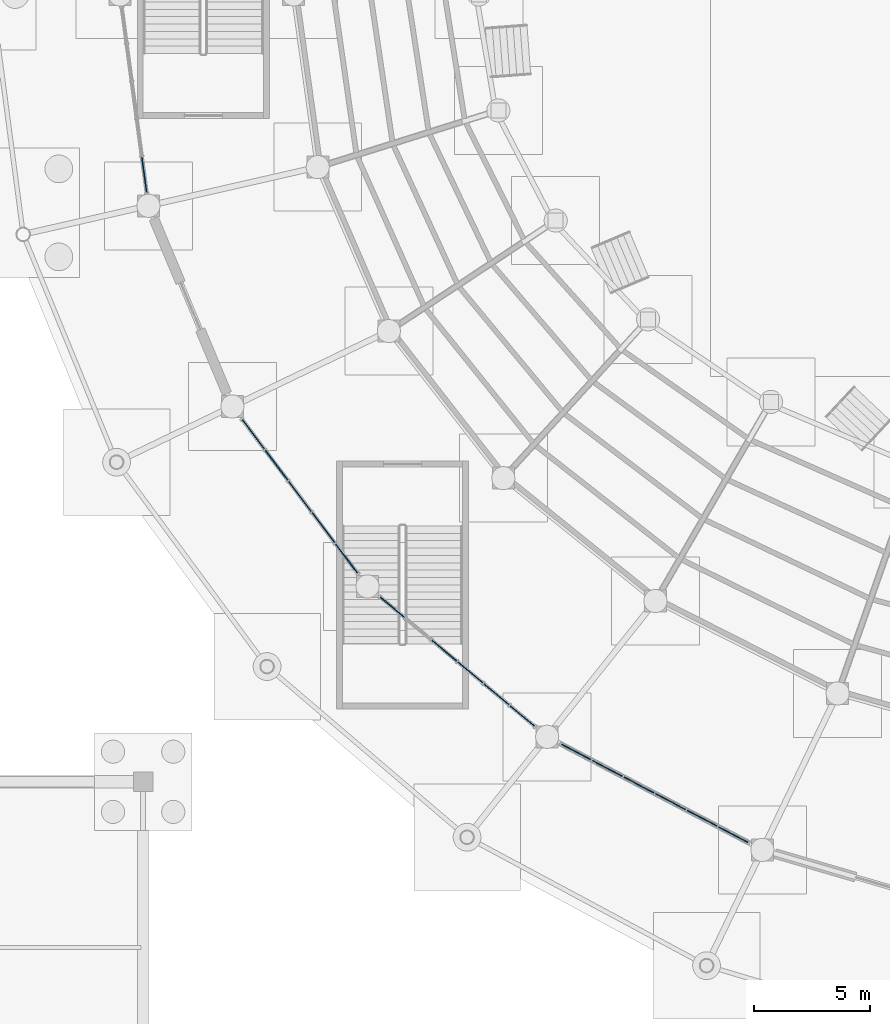
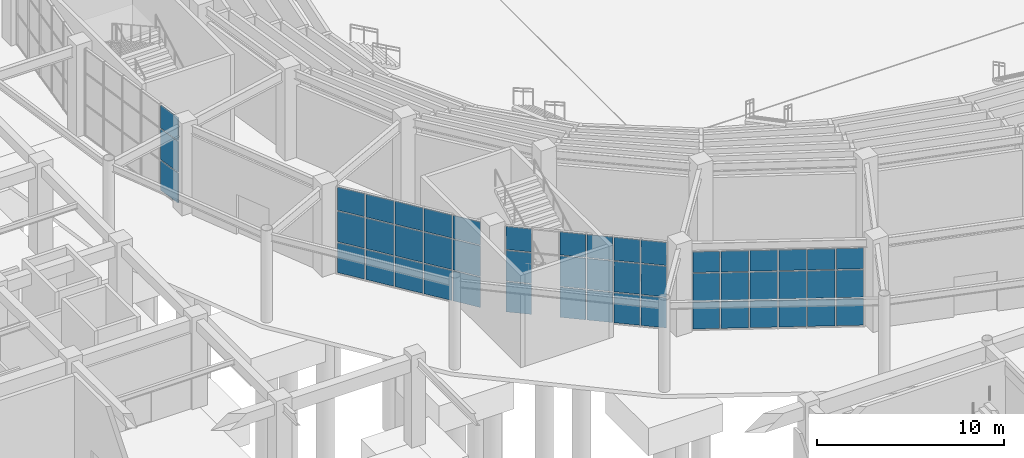
# One storey, part 65 of 121: 51 plates, 4 elements without a shape of their own.
"""IFC4 building model written with IfcOpenShell, lengths in metres."""

import ifcopenshell
import ifcopenshell.guid

model = None  # the IFC model being written
_history = None  # IfcOwnerHistory: only IFC2X3 demands one
_inside = {}  # id of a spatial element -> (the spatial element, [elements in it])
_under = {}  # id of a project, library or spatial element -> (it, [spatial elements below it])
_declared = {}  # id of a project -> (the project, [libraries it declares])
_typed = {}  # id of a type object -> (the type object, [elements of that type])
_made_of = {}  # id of a material, layer set ... -> (it, [elements and type objects made of it])


def new_model(schema):
    """Start an empty IFC model of exactly this schema.

    Asked for "IFC4X3", IfcOpenShell would pick the latest addendum, in which some entities
    have other attributes; the version numbers below select the first issue.
    IFC2X3 requires an IfcOwnerHistory on every rooted entity: one is made here for all.
    """
    global model, _history
    if schema == "IFC4X3":
        model = ifcopenshell.file(schema_version=(4, 3, 0, 0))
    else:
        model = ifcopenshell.file(schema=schema)
    _inside.clear()
    _under.clear()
    _declared.clear()
    _typed.clear()
    _made_of.clear()
    _history = None
    if model.schema == "IFC2X3":
        org = make("IfcOrganization", Name="unknown")
        user = make(
            "IfcPersonAndOrganization",
            ThePerson=make("IfcPerson", FamilyName="unknown"),
            TheOrganization=org,
        )
        app = make(
            "IfcApplication",
            ApplicationDeveloper=org,
            Version="unknown",
            ApplicationFullName="unknown",
            ApplicationIdentifier="unknown",
        )
        _history = make(
            "IfcOwnerHistory",
            OwningUser=user,
            OwningApplication=app,
            ChangeAction="ADDED",
            CreationDate=0,
        )
    return model


def make(cls, **values):
    """One entity of the class cls with the attributes given. An attribute that is None is left unset."""
    return model.create_entity(
        cls, **{name: value for name, value in values.items() if value is not None}
    )


def rooted(cls, **values):
    """An entity with a GlobalId (a new one), such as an element, a storey or a relation."""
    return make(cls, GlobalId=ifcopenshell.guid.new(), OwnerHistory=_history, **values)


def si_unit(unit_type, name, prefix=None):
    """IfcSIUnit, for example si_unit("LENGTHUNIT", "METRE", prefix="MILLI")."""
    return make("IfcSIUnit", UnitType=unit_type, Prefix=prefix, Name=name)


def assignment(units):
    """IfcUnitAssignment: the units of a project."""
    return None if units is None else make("IfcUnitAssignment", Units=units)


def point(xyz):
    """IfcCartesianPoint."""
    return None if xyz is None else make("IfcCartesianPoint", Coordinates=xyz)


def direction(xyz):
    """IfcDirection."""
    return None if xyz is None else make("IfcDirection", DirectionRatios=xyz)


def frame(location, z_axis=None, x_axis=None):
    """IfcAxis2Placement3D, a coordinate frame: its origin and axes. An axis left out is left unset."""
    return make(
        "IfcAxis2Placement3D",
        Location=point(location),
        Axis=direction(z_axis),
        RefDirection=direction(x_axis),
    )


def frame_2d(location, x_axis=None):
    """IfcAxis2Placement2D, a coordinate frame in the plane: its origin and x axis."""
    return make(
        "IfcAxis2Placement2D", Location=point(location), RefDirection=direction(x_axis)
    )


def origin():
    """The frame at (0, 0, 0) with its axes left unset."""
    return frame((0.0, 0.0, 0.0))


def origin_2d():
    """The frame at (0, 0) in the plane with its x axis left unset."""
    return frame_2d((0.0, 0.0))


def place(relative_to, where):
    """IfcLocalPlacement: puts the frame where relative to a parent placement (None: the world)."""
    return make(
        "IfcLocalPlacement", PlacementRelTo=relative_to, RelativePlacement=where
    )


def context(
    kind, dimensions, precision=None, world=None, true_north=None, identifier=None
):
    """IfcGeometricRepresentationContext, for example the 3D "Model" context."""
    return make(
        "IfcGeometricRepresentationContext",
        ContextIdentifier=identifier,
        ContextType=kind,
        CoordinateSpaceDimension=dimensions,
        Precision=precision,
        WorldCoordinateSystem=world,
        TrueNorth=true_north,
    )


def subcontext(parent, identifier, kind, view, scale=None):
    """IfcGeometricRepresentationSubContext, for example "Body" below "Model"."""
    return make(
        "IfcGeometricRepresentationSubContext",
        ContextIdentifier=identifier,
        ContextType=kind,
        ParentContext=parent,
        TargetScale=scale,
        TargetView=view,
    )


def project(units=None, contexts=None):
    """IfcProject with its units and contexts."""
    return rooted(
        "IfcProject",
        Name="project",
        RepresentationContexts=contexts,
        UnitsInContext=assignment(units),
    )


def spatial(cls, under=None, at=None, **own):
    """A site, building, storey or space (cls), placed at a placement, below another one or the project."""
    s = rooted(cls, ObjectPlacement=at, **own)
    if under is not None:
        _under.setdefault(under.id(), (under, []))[1].append(s)
    return s


def profile(cls, at=None, kind="AREA", **sizes):
    """A parametric profile (cls). Its sizes go by their IFC names, for example OverallWidth=200.0."""
    return make(cls, ProfileType=kind, Position=at, **sizes)


def rectangle(**sizes):
    """IfcRectangleProfileDef."""
    return profile("IfcRectangleProfileDef", **sizes)


def extrude(swept, where, along, depth):
    """IfcExtrudedAreaSolid: the profile swept, set in the frame where, extruded along a direction by depth."""
    return make(
        "IfcExtrudedAreaSolid",
        SweptArea=swept,
        Position=where,
        ExtrudedDirection=direction(along),
        Depth=depth,
    )


def shape(context_of_items, identifier, shape_type, items):
    """IfcShapeRepresentation: the items that make up one representation, for example the "Body"."""
    return make(
        "IfcShapeRepresentation",
        ContextOfItems=context_of_items,
        RepresentationIdentifier=identifier,
        RepresentationType=shape_type,
        Items=items,
    )


def material(Name=None, Category=None):
    """IfcMaterial."""
    return make("IfcMaterial", Name=Name, Category=Category)


def layer(
    of_material, thickness, ventilated=None, Name=None, Category=None, Priority=None
):
    """IfcMaterialLayer: one layer of a wall or slab, of a material (None: an air gap)."""
    return make(
        "IfcMaterialLayer",
        Material=of_material,
        LayerThickness=thickness,
        IsVentilated=ventilated,
        Name=Name,
        Category=Category,
        Priority=Priority,
    )


def layer_set(layers, Name=None):
    """IfcMaterialLayerSet."""
    return make("IfcMaterialLayerSet", MaterialLayers=layers, LayerSetName=Name)


def made_of(thing, what):
    """Note that an element or type object is made of a material, layer set ...; save() writes the relation."""
    if what is not None:
        _made_of.setdefault(what.id(), (what, []))[1].append(thing)
    return thing


def type_object(cls, material=None, **own):
    """A type object (cls), such as IfcWallType, which elements share."""
    return made_of(rooted(cls, **own), material)


def element(
    cls,
    number,
    at=None,
    inside=None,
    cuts=None,
    type_object=None,
    material=None,
    context=None,
    identifier="Body",
    shape_type=None,
    held_by="IfcProductDefinitionShape",
    body=None,
    shapes=None,
    **own,
):
    """One element of the class cls, such as IfcWall. Its Tag is "e" and its number.

    at: its placement. inside: the storey or other place that contains it. cuts: it is an
    opening in that element (IfcRelVoidsElement). A single representation is given by context,
    identifier, shape_type and body (its items); several are given by shapes. held_by: the class
    of the entity that holds the representations. save() writes the other relations.
    """
    e = rooted(cls, Tag="e%d" % number, ObjectPlacement=at, **own)
    if body is not None:
        shapes = [shape(context, identifier, shape_type, body)]
    if shapes is not None:
        e.Representation = make(held_by, Representations=shapes)
    if inside is not None:
        _inside.setdefault(inside.id(), (inside, []))[1].append(e)
    if cuts is not None:
        rooted(
            "IfcRelVoidsElement", RelatingBuildingElement=cuts, RelatedOpeningElement=e
        )
    if type_object is not None:
        _typed.setdefault(type_object.id(), (type_object, []))[1].append(e)
    return made_of(e, material)


def aggregate(whole, parts):
    """IfcRelAggregates: a whole, such as a stair, and the parts it consists of."""
    return rooted("IfcRelAggregates", RelatingObject=whole, RelatedObjects=parts)


def save(model, path):
    """Write the relations noted so far, then the file.

    IfcRelAggregates (storeys below a building ...), IfcRelContainedInSpatialStructure (elements
    in a storey), IfcRelDefinesByType, IfcRelAssociatesMaterial and IfcRelDeclares: one each for
    every whole, place, type object, material and project.
    """
    for whole, parts in _under.values():
        aggregate(whole, parts)
    for where, things in _inside.values():
        rooted(
            "IfcRelContainedInSpatialStructure",
            RelatedElements=things,
            RelatingStructure=where,
        )
    for kind, things in _typed.values():
        rooted("IfcRelDefinesByType", RelatedObjects=things, RelatingType=kind)
    for what, things in _made_of.values():
        rooted("IfcRelAssociatesMaterial", RelatedObjects=things, RelatingMaterial=what)
    for by, libraries in _declared.values():
        rooted("IfcRelDeclares", RelatingContext=by, RelatedDefinitions=libraries)
    model.write(path)


model = new_model("IFC4")

# Units and contexts
model_context = context("Model", 3, precision=1e-05, world=origin(), true_north=direction((0.0, 1.0)))
body_context = subcontext(model_context, "Body", "Model", "MODEL_VIEW")
ifc_project = project(units=[si_unit("LENGTHUNIT", "METRE"), si_unit("AREAUNIT", "SQUARE_METRE"), si_unit("VOLUMEUNIT", "CUBIC_METRE"), si_unit("PLANEANGLEUNIT", "RADIAN"), si_unit("MASSUNIT", "GRAM", prefix="KILO")], contexts=[model_context])

# Site, building, storey
site_placement = place(None, origin())
site = spatial("IfcSite", under=ifc_project, at=site_placement, CompositionType="ELEMENT")
building_placement = place(site_placement, origin())
building = spatial("IfcBuilding", under=site, at=building_placement, Name="Cuetzalor Civic Arena", CompositionType="ELEMENT")
storey_placement = place(building_placement, origin())
storey = spatial("IfcBuildingStorey", under=building, at=storey_placement, Name="L00", CompositionType="ELEMENT", Elevation=0.0)

# Curtain wall, plates
ifc_material_1 = material(Name="Anodised dark bronze aluminium and low-E solar glass", Category="aluminium")
curtain_wall_type_1 = type_object("IfcCurtainWallType", Name="UnitisedCW_8150x5700", PredefinedType="USERDEFINED", material=ifc_material_1)
curtain_wall_1_placement = place(storey_placement, origin())
curtain_wall_1 = element("IfcCurtainWall", 1, at=curtain_wall_1_placement, inside=storey, type_object=curtain_wall_type_1, Name="Drum Ground Recessed Concourse Curtain Wall L00-011", ObjectType="UNITISED CURTAIN WALL", PredefinedType="USERDEFINED")
ifc_material_2 = material(Name="Acoustic laminated solar control glass", Category="glass")
ifc_layer = layer(ifc_material_2, 0.0439453125)
ifc_layer_set = layer_set([ifc_layer], Name="Acoustic laminated solar control glass")
plate_type = type_object("IfcPlateType", Name="AcousticTripleGlazedPanel_44", PredefinedType="CURTAIN_PANEL", material=ifc_layer_set)
plate_1_placement = place(storey_placement, frame((-47.951904296875, -7.784423828125, 0.06982421875), z_axis=(0.0, 0.0, 1.0), x_axis=(-0.133443440892, 0.991056430322, 0.0)))
plate_1 = element("IfcPlate", 2, at=plate_1_placement, type_object=plate_type, Name="CW-01 panel 1.1", PredefinedType="CURTAIN_PANEL", context=body_context, shape_type="SweptSolid", body=[
    extrude(rectangle(XDim=1.52978515625, YDim=0.0439453125, at=origin_2d()), origin(), (0.0, 0.0, 1.0), 1.947021484375),
])
plate_2_placement = place(storey_placement, frame((-47.951904296875, -7.784423828125, 2.0869140625), z_axis=(0.0, 0.0, 1.0), x_axis=(-0.133443440892, 0.991056430322, 0.0)))
plate_2 = element("IfcPlate", 3, at=plate_2_placement, type_object=plate_type, Name="CW-01 panel 1.2", PredefinedType="CURTAIN_PANEL", context=body_context, shape_type="SweptSolid", body=[
    extrude(rectangle(XDim=1.52978515625, YDim=0.0439453125, at=origin_2d()), origin(), (0.0, 0.0, 1.0), 1.98193359375),
])
plate_3_placement = place(storey_placement, frame((-47.951904296875, -7.784423828125, 4.13916015625), z_axis=(0.0, 0.0, 1.0), x_axis=(-0.133443440892, 0.991056430322, 0.0)))
plate_3 = element("IfcPlate", 4, at=plate_3_placement, type_object=plate_type, Name="CW-01 panel 1.3", PredefinedType="CURTAIN_PANEL", context=body_context, shape_type="SweptSolid", body=[
    extrude(rectangle(XDim=1.52978515625, YDim=0.0439453125, at=origin_2d()), origin(), (0.0, 0.0, 1.0), 1.490966796875),
])
aggregate(curtain_wall_1, [plate_1, plate_2, plate_3])

ifc_material_3 = material(Name="Anodised dark bronze aluminium and low-E solar glass", Category="aluminium")
curtain_wall_type_2 = type_object("IfcCurtainWallType", Name="UnitisedCW_8450x5700", PredefinedType="USERDEFINED", material=ifc_material_3)
curtain_wall_2_placement = place(storey_placement, origin())
curtain_wall_2 = element("IfcCurtainWall", 5, at=curtain_wall_2_placement, inside=storey, type_object=curtain_wall_type_2, Name="Drum Ground Recessed Concourse Curtain Wall L00-012", ObjectType="UNITISED CURTAIN WALL", PredefinedType="USERDEFINED")
plate_4_placement = place(storey_placement, frame((-39.21484375, -24.35791015625, 0.06982421875), z_axis=(0.0, 0.0, 1.0), x_axis=(-0.600491594925, 0.799631067696, 0.0)))
plate_4 = element("IfcPlate", 6, at=plate_4_placement, type_object=plate_type, Name="CW-02 panel 1.1", PredefinedType="CURTAIN_PANEL", context=body_context, shape_type="SweptSolid", body=[
    extrude(rectangle(XDim=1.58056640625, YDim=0.0439453125, at=origin_2d()), origin(), (0.0, 0.0, 1.0), 1.947021484375),
])
plate_5_placement = place(storey_placement, frame((-39.21484375, -24.35791015625, 2.0869140625), z_axis=(0.0, 0.0, 1.0), x_axis=(-0.600491594925, 0.799631067696, 0.0)))
plate_5 = element("IfcPlate", 7, at=plate_5_placement, type_object=plate_type, Name="CW-02 panel 1.2", PredefinedType="CURTAIN_PANEL", context=body_context, shape_type="SweptSolid", body=[
    extrude(rectangle(XDim=1.58056640625, YDim=0.0439453125, at=origin_2d()), origin(), (0.0, 0.0, 1.0), 1.98193359375),
])
plate_6_placement = place(storey_placement, frame((-39.21484375, -24.35791015625, 4.13916015625), z_axis=(0.0, 0.0, 1.0), x_axis=(-0.600491594925, 0.799631067696, 0.0)))
plate_6 = element("IfcPlate", 8, at=plate_6_placement, type_object=plate_type, Name="CW-02 panel 1.3", PredefinedType="CURTAIN_PANEL", context=body_context, shape_type="SweptSolid", body=[
    extrude(rectangle(XDim=1.58056640625, YDim=0.0439453125, at=origin_2d()), origin(), (0.0, 0.0, 1.0), 1.490966796875),
])
plate_7_placement = place(storey_placement, frame((-40.216552734375, -23.02392578125, 0.06982421875), z_axis=(0.0, 0.0, 1.0), x_axis=(-0.600491594925, 0.799631067696, 0.0)))
plate_7 = element("IfcPlate", 9, at=plate_7_placement, type_object=plate_type, Name="CW-02 panel 2.1", PredefinedType="CURTAIN_PANEL", context=body_context, shape_type="SweptSolid", body=[
    extrude(rectangle(XDim=1.615478515625, YDim=0.0439453125, at=origin_2d()), origin(), (0.0, 0.0, 1.0), 1.947021484375),
])
plate_8_placement = place(storey_placement, frame((-40.216552734375, -23.02392578125, 2.0869140625), z_axis=(0.0, 0.0, 1.0), x_axis=(-0.600491594925, 0.799631067696, 0.0)))
plate_8 = element("IfcPlate", 10, at=plate_8_placement, type_object=plate_type, Name="CW-02 panel 2.2", PredefinedType="CURTAIN_PANEL", context=body_context, shape_type="SweptSolid", body=[
    extrude(rectangle(XDim=1.615478515625, YDim=0.0439453125, at=origin_2d()), origin(), (0.0, 0.0, 1.0), 1.98193359375),
])
plate_9_placement = place(storey_placement, frame((-40.216552734375, -23.02392578125, 4.13916015625), z_axis=(0.0, 0.0, 1.0), x_axis=(-0.600491594925, 0.799631067696, 0.0)))
plate_9 = element("IfcPlate", 11, at=plate_9_placement, type_object=plate_type, Name="CW-02 panel 2.3", PredefinedType="CURTAIN_PANEL", context=body_context, shape_type="SweptSolid", body=[
    extrude(rectangle(XDim=1.615478515625, YDim=0.0439453125, at=origin_2d()), origin(), (0.0, 0.0, 1.0), 1.490966796875),
])
plate_10_placement = place(storey_placement, frame((-41.228515625, -21.67626953125, 0.06982421875), z_axis=(0.0, 0.0, 1.0), x_axis=(-0.600491594925, 0.799631067696, 0.0)))
plate_10 = element("IfcPlate", 12, at=plate_10_placement, type_object=plate_type, Name="CW-02 panel 3.1", PredefinedType="CURTAIN_PANEL", context=body_context, shape_type="SweptSolid", body=[
    extrude(rectangle(XDim=1.615478515625, YDim=0.0439453125, at=origin_2d()), origin(), (0.0, 0.0, 1.0), 1.947021484375),
])
plate_11_placement = place(storey_placement, frame((-41.228515625, -21.67626953125, 2.0869140625), z_axis=(0.0, 0.0, 1.0), x_axis=(-0.600491594925, 0.799631067696, 0.0)))
plate_11 = element("IfcPlate", 13, at=plate_11_placement, type_object=plate_type, Name="CW-02 panel 3.2", PredefinedType="CURTAIN_PANEL", context=body_context, shape_type="SweptSolid", body=[
    extrude(rectangle(XDim=1.615478515625, YDim=0.0439453125, at=origin_2d()), origin(), (0.0, 0.0, 1.0), 1.98193359375),
])
plate_12_placement = place(storey_placement, frame((-41.228515625, -21.67626953125, 4.13916015625), z_axis=(0.0, 0.0, 1.0), x_axis=(-0.600491594925, 0.799631067696, 0.0)))
plate_12 = element("IfcPlate", 14, at=plate_12_placement, type_object=plate_type, Name="CW-02 panel 3.3", PredefinedType="CURTAIN_PANEL", context=body_context, shape_type="SweptSolid", body=[
    extrude(rectangle(XDim=1.615478515625, YDim=0.0439453125, at=origin_2d()), origin(), (0.0, 0.0, 1.0), 1.490966796875),
])
plate_13_placement = place(storey_placement, frame((-42.24072265625, -20.328369140625, 0.06982421875), z_axis=(0.0, 0.0, 1.0), x_axis=(-0.600491594925, 0.799631067696, 0.0)))
plate_13 = element("IfcPlate", 15, at=plate_13_placement, type_object=plate_type, Name="CW-02 panel 4.1", PredefinedType="CURTAIN_PANEL", context=body_context, shape_type="SweptSolid", body=[
    extrude(rectangle(XDim=1.615478515625, YDim=0.0439453125, at=origin_2d()), origin(), (0.0, 0.0, 1.0), 1.947021484375),
])
plate_14_placement = place(storey_placement, frame((-42.24072265625, -20.328369140625, 2.0869140625), z_axis=(0.0, 0.0, 1.0), x_axis=(-0.600491594925, 0.799631067696, 0.0)))
plate_14 = element("IfcPlate", 16, at=plate_14_placement, type_object=plate_type, Name="CW-02 panel 4.2", PredefinedType="CURTAIN_PANEL", context=body_context, shape_type="SweptSolid", body=[
    extrude(rectangle(XDim=1.615478515625, YDim=0.0439453125, at=origin_2d()), origin(), (0.0, 0.0, 1.0), 1.98193359375),
])
plate_15_placement = place(storey_placement, frame((-42.24072265625, -20.328369140625, 4.13916015625), z_axis=(0.0, 0.0, 1.0), x_axis=(-0.600491594925, 0.799631067696, 0.0)))
plate_15 = element("IfcPlate", 17, at=plate_15_placement, type_object=plate_type, Name="CW-02 panel 4.3", PredefinedType="CURTAIN_PANEL", context=body_context, shape_type="SweptSolid", body=[
    extrude(rectangle(XDim=1.615478515625, YDim=0.0439453125, at=origin_2d()), origin(), (0.0, 0.0, 1.0), 1.490966796875),
])
plate_16_placement = place(storey_placement, frame((-43.242431640625, -18.994384765625, 0.06982421875), z_axis=(0.0, 0.0, 1.0), x_axis=(-0.600491594925, 0.799631067696, 0.0)))
plate_16 = element("IfcPlate", 18, at=plate_16_placement, type_object=plate_type, Name="CW-02 panel 5.1", PredefinedType="CURTAIN_PANEL", context=body_context, shape_type="SweptSolid", body=[
    extrude(rectangle(XDim=1.58056640625, YDim=0.0439453125, at=origin_2d()), origin(), (0.0, 0.0, 1.0), 1.947021484375),
])
plate_17_placement = place(storey_placement, frame((-43.242431640625, -18.994384765625, 2.0869140625), z_axis=(0.0, 0.0, 1.0), x_axis=(-0.600491594925, 0.799631067696, 0.0)))
plate_17 = element("IfcPlate", 19, at=plate_17_placement, type_object=plate_type, Name="CW-02 panel 5.2", PredefinedType="CURTAIN_PANEL", context=body_context, shape_type="SweptSolid", body=[
    extrude(rectangle(XDim=1.58056640625, YDim=0.0439453125, at=origin_2d()), origin(), (0.0, 0.0, 1.0), 1.98193359375),
])
plate_18_placement = place(storey_placement, frame((-43.242431640625, -18.994384765625, 4.13916015625), z_axis=(0.0, 0.0, 1.0), x_axis=(-0.600491594925, 0.799631067696, 0.0)))
plate_18 = element("IfcPlate", 20, at=plate_18_placement, type_object=plate_type, Name="CW-02 panel 5.3", PredefinedType="CURTAIN_PANEL", context=body_context, shape_type="SweptSolid", body=[
    extrude(rectangle(XDim=1.58056640625, YDim=0.0439453125, at=origin_2d()), origin(), (0.0, 0.0, 1.0), 1.490966796875),
])
aggregate(curtain_wall_2, [plate_4, plate_5, plate_6, plate_7, plate_8, plate_9, plate_10, plate_11, plate_12, plate_13, plate_14, plate_15, plate_16, plate_17, plate_18])

ifc_material_4 = material(Name="Anodised dark bronze aluminium and low-E solar glass", Category="aluminium")
curtain_wall_type_3 = type_object("IfcCurtainWallType", Name="UnitisedCW_8800x5700", PredefinedType="USERDEFINED", material=ifc_material_4)
curtain_wall_3_placement = place(storey_placement, origin())
curtain_wall_3 = element("IfcCurtainWall", 21, at=curtain_wall_3_placement, inside=storey, type_object=curtain_wall_type_3, Name="Drum Ground Recessed Concourse Curtain Wall L00-013", ObjectType="UNITISED CURTAIN WALL", PredefinedType="USERDEFINED")
plate_19_placement = place(storey_placement, frame((-31.627197265625, -31.15478515625, 0.06982421875), z_axis=(0.0, 0.0, 1.0), x_axis=(-0.766928030459, 0.641733119059, 0.0)))
plate_19 = element("IfcPlate", 22, at=plate_19_placement, type_object=plate_type, Name="CW-03 panel 1.1", PredefinedType="CURTAIN_PANEL", context=body_context, shape_type="SweptSolid", body=[
    extrude(rectangle(XDim=1.364013671875, YDim=0.0439453125, at=origin_2d()), origin(), (0.0, 0.0, 1.0), 1.947021484375),
])
plate_20_placement = place(storey_placement, frame((-31.627197265625, -31.15478515625, 2.0869140625), z_axis=(0.0, 0.0, 1.0), x_axis=(-0.766928030459, 0.641733119059, 0.0)))
plate_20 = element("IfcPlate", 23, at=plate_20_placement, type_object=plate_type, Name="CW-03 panel 1.2", PredefinedType="CURTAIN_PANEL", context=body_context, shape_type="SweptSolid", body=[
    extrude(rectangle(XDim=1.364013671875, YDim=0.0439453125, at=origin_2d()), origin(), (0.0, 0.0, 1.0), 1.98193359375),
])
plate_21_placement = place(storey_placement, frame((-31.627197265625, -31.15478515625, 4.13916015625), z_axis=(0.0, 0.0, 1.0), x_axis=(-0.766928030459, 0.641733119059, 0.0)))
plate_21 = element("IfcPlate", 24, at=plate_21_placement, type_object=plate_type, Name="CW-03 panel 1.3", PredefinedType="CURTAIN_PANEL", context=body_context, shape_type="SweptSolid", body=[
    extrude(rectangle(XDim=1.364013671875, YDim=0.0439453125, at=origin_2d()), origin(), (0.0, 0.0, 1.0), 1.490966796875),
])
plate_22_placement = place(storey_placement, frame((-32.740478515625, -30.22314453125, 0.06982421875), z_axis=(0.0, 0.0, 1.0), x_axis=(-0.766928030459, 0.641733119059, 0.0)))
plate_22 = element("IfcPlate", 25, at=plate_22_placement, type_object=plate_type, Name="CW-03 panel 2.1", PredefinedType="CURTAIN_PANEL", context=body_context, shape_type="SweptSolid", body=[
    extrude(rectangle(XDim=1.39892578125, YDim=0.0439453125, at=origin_2d()), origin(), (0.0, 0.0, 1.0), 1.947021484375),
])
plate_23_placement = place(storey_placement, frame((-32.740478515625, -30.22314453125, 2.0869140625), z_axis=(0.0, 0.0, 1.0), x_axis=(-0.766928030459, 0.641733119059, 0.0)))
plate_23 = element("IfcPlate", 26, at=plate_23_placement, type_object=plate_type, Name="CW-03 panel 2.2", PredefinedType="CURTAIN_PANEL", context=body_context, shape_type="SweptSolid", body=[
    extrude(rectangle(XDim=1.39892578125, YDim=0.0439453125, at=origin_2d()), origin(), (0.0, 0.0, 1.0), 1.98193359375),
])
plate_24_placement = place(storey_placement, frame((-32.740478515625, -30.22314453125, 4.13916015625), z_axis=(0.0, 0.0, 1.0), x_axis=(-0.766928030459, 0.641733119059, 0.0)))
plate_24 = element("IfcPlate", 27, at=plate_24_placement, type_object=plate_type, Name="CW-03 panel 2.3", PredefinedType="CURTAIN_PANEL", context=body_context, shape_type="SweptSolid", body=[
    extrude(rectangle(XDim=1.39892578125, YDim=0.0439453125, at=origin_2d()), origin(), (0.0, 0.0, 1.0), 1.490966796875),
])
plate_25_placement = place(storey_placement, frame((-33.866943359375, -29.280517578125, 0.06982421875), z_axis=(0.0, 0.0, 1.0), x_axis=(-0.766928030459, 0.641733119059, 0.0)))
plate_25 = element("IfcPlate", 28, at=plate_25_placement, type_object=plate_type, Name="CW-03 panel 3.1", PredefinedType="CURTAIN_PANEL", context=body_context, shape_type="SweptSolid", body=[
    extrude(rectangle(XDim=1.39892578125, YDim=0.0439453125, at=origin_2d()), origin(), (0.0, 0.0, 1.0), 1.947021484375),
])
plate_26_placement = place(storey_placement, frame((-33.866943359375, -29.280517578125, 2.0869140625), z_axis=(0.0, 0.0, 1.0), x_axis=(-0.766928030459, 0.641733119059, 0.0)))
plate_26 = element("IfcPlate", 29, at=plate_26_placement, type_object=plate_type, Name="CW-03 panel 3.2", PredefinedType="CURTAIN_PANEL", context=body_context, shape_type="SweptSolid", body=[
    extrude(rectangle(XDim=1.39892578125, YDim=0.0439453125, at=origin_2d()), origin(), (0.0, 0.0, 1.0), 1.98193359375),
])
plate_27_placement = place(storey_placement, frame((-33.866943359375, -29.280517578125, 4.13916015625), z_axis=(0.0, 0.0, 1.0), x_axis=(-0.766928030459, 0.641733119059, 0.0)))
plate_27 = element("IfcPlate", 30, at=plate_27_placement, type_object=plate_type, Name="CW-03 panel 3.3", PredefinedType="CURTAIN_PANEL", context=body_context, shape_type="SweptSolid", body=[
    extrude(rectangle(XDim=1.39892578125, YDim=0.0439453125, at=origin_2d()), origin(), (0.0, 0.0, 1.0), 1.490966796875),
])
plate_28_placement = place(storey_placement, frame((-34.99365234375, -28.337646484375, 0.06982421875), z_axis=(0.0, 0.0, 1.0), x_axis=(-0.766928030459, 0.641733119059, 0.0)))
plate_28 = element("IfcPlate", 31, at=plate_28_placement, type_object=plate_type, Name="CW-03 panel 4.1", PredefinedType="CURTAIN_PANEL", context=body_context, shape_type="SweptSolid", body=[
    extrude(rectangle(XDim=1.39892578125, YDim=0.0439453125, at=origin_2d()), origin(), (0.0, 0.0, 1.0), 1.947021484375),
])
plate_29_placement = place(storey_placement, frame((-34.99365234375, -28.337646484375, 2.0869140625), z_axis=(0.0, 0.0, 1.0), x_axis=(-0.766928030459, 0.641733119059, 0.0)))
plate_29 = element("IfcPlate", 32, at=plate_29_placement, type_object=plate_type, Name="CW-03 panel 4.2", PredefinedType="CURTAIN_PANEL", context=body_context, shape_type="SweptSolid", body=[
    extrude(rectangle(XDim=1.39892578125, YDim=0.0439453125, at=origin_2d()), origin(), (0.0, 0.0, 1.0), 1.98193359375),
])
plate_30_placement = place(storey_placement, frame((-34.99365234375, -28.337646484375, 4.13916015625), z_axis=(0.0, 0.0, 1.0), x_axis=(-0.766928030459, 0.641733119059, 0.0)))
plate_30 = element("IfcPlate", 33, at=plate_30_placement, type_object=plate_type, Name="CW-03 panel 4.3", PredefinedType="CURTAIN_PANEL", context=body_context, shape_type="SweptSolid", body=[
    extrude(rectangle(XDim=1.39892578125, YDim=0.0439453125, at=origin_2d()), origin(), (0.0, 0.0, 1.0), 1.490966796875),
])
plate_31_placement = place(storey_placement, frame((-37.233642578125, -26.46337890625, 0.06982421875), z_axis=(0.0, 0.0, 1.0), x_axis=(-0.766928030459, 0.641733119059, 0.0)))
plate_31 = element("IfcPlate", 34, at=plate_31_placement, type_object=plate_type, Name="CW-03 panel 6.1", PredefinedType="CURTAIN_PANEL", context=body_context, shape_type="SweptSolid", body=[
    extrude(rectangle(XDim=1.364013671875, YDim=0.0439453125, at=origin_2d()), origin(), (0.0, 0.0, 1.0), 1.947021484375),
])
plate_32_placement = place(storey_placement, frame((-37.233642578125, -26.46337890625, 2.0869140625), z_axis=(0.0, 0.0, 1.0), x_axis=(-0.766928030459, 0.641733119059, 0.0)))
plate_32 = element("IfcPlate", 35, at=plate_32_placement, type_object=plate_type, Name="CW-03 panel 6.2", PredefinedType="CURTAIN_PANEL", context=body_context, shape_type="SweptSolid", body=[
    extrude(rectangle(XDim=1.364013671875, YDim=0.0439453125, at=origin_2d()), origin(), (0.0, 0.0, 1.0), 1.98193359375),
])
plate_33_placement = place(storey_placement, frame((-37.233642578125, -26.46337890625, 4.13916015625), z_axis=(0.0, 0.0, 1.0), x_axis=(-0.766928030459, 0.641733119059, 0.0)))
plate_33 = element("IfcPlate", 36, at=plate_33_placement, type_object=plate_type, Name="CW-03 panel 6.3", PredefinedType="CURTAIN_PANEL", context=body_context, shape_type="SweptSolid", body=[
    extrude(rectangle(XDim=1.364013671875, YDim=0.0439453125, at=origin_2d()), origin(), (0.0, 0.0, 1.0), 1.490966796875),
])
aggregate(curtain_wall_3, [plate_19, plate_20, plate_21, plate_22, plate_23, plate_24, plate_25, plate_26, plate_27, plate_28, plate_29, plate_30, plate_31, plate_32, plate_33])

ifc_material_5 = material(Name="Anodised dark bronze aluminium and low-E solar glass", Category="aluminium")
curtain_wall_type_4 = type_object("IfcCurtainWallType", Name="UnitisedCW_9250x5150", PredefinedType="USERDEFINED", material=ifc_material_5)
curtain_wall_4_placement = place(storey_placement, origin())
curtain_wall_4 = element("IfcCurtainWall", 37, at=curtain_wall_4_placement, inside=storey, type_object=curtain_wall_type_4, Name="Drum Ground Recessed Concourse Curtain Wall L00-014", ObjectType="UNITISED CURTAIN WALL", PredefinedType="USERDEFINED")
plate_34_placement = place(storey_placement, frame((-22.510009765625, -36.28271484375, 0.070068359375), z_axis=(0.0, 0.0, 1.0), x_axis=(-0.885118421147, 0.465365856662, 0.0)))
plate_34 = element("IfcPlate", 38, at=plate_34_placement, type_object=plate_type, Name="CW-04 panel 1.1", PredefinedType="CURTAIN_PANEL", context=body_context, shape_type="SweptSolid", body=[
    extrude(rectangle(XDim=1.4365234375, YDim=0.0439453125, at=origin_2d()), origin(), (0.0, 0.0, 1.0), 1.751953125),
])
plate_35_placement = place(storey_placement, frame((-22.510009765625, -36.28271484375, 1.89208984375), z_axis=(0.0, 0.0, 1.0), x_axis=(-0.885118421147, 0.465365856662, 0.0)))
plate_35 = element("IfcPlate", 39, at=plate_35_placement, type_object=plate_type, Name="CW-04 panel 1.2", PredefinedType="CURTAIN_PANEL", context=body_context, shape_type="SweptSolid", body=[
    extrude(rectangle(XDim=1.4365234375, YDim=0.0439453125, at=origin_2d()), origin(), (0.0, 0.0, 1.0), 1.785888671875),
])
plate_36_placement = place(storey_placement, frame((-22.510009765625, -36.28271484375, 3.748046875), z_axis=(0.0, 0.0, 1.0), x_axis=(-0.885118421147, 0.465365856662, 0.0)))
plate_36 = element("IfcPlate", 40, at=plate_36_placement, type_object=plate_type, Name="CW-04 panel 1.3", PredefinedType="CURTAIN_PANEL", context=body_context, shape_type="SweptSolid", body=[
    extrude(rectangle(XDim=1.4365234375, YDim=0.0439453125, at=origin_2d()), origin(), (0.0, 0.0, 1.0), 1.339111328125),
])
plate_37_placement = place(storey_placement, frame((-23.85888671875, -35.573486328125, 0.070068359375), z_axis=(0.0, 0.0, 1.0), x_axis=(-0.885118421147, 0.465365856662, 0.0)))
plate_37 = element("IfcPlate", 41, at=plate_37_placement, type_object=plate_type, Name="CW-04 panel 2.1", PredefinedType="CURTAIN_PANEL", context=body_context, shape_type="SweptSolid", body=[
    extrude(rectangle(XDim=1.4716796875, YDim=0.0439453125, at=origin_2d()), origin(), (0.0, 0.0, 1.0), 1.751953125),
])
plate_38_placement = place(storey_placement, frame((-23.85888671875, -35.573486328125, 1.89208984375), z_axis=(0.0, 0.0, 1.0), x_axis=(-0.885118421147, 0.465365856662, 0.0)))
plate_38 = element("IfcPlate", 42, at=plate_38_placement, type_object=plate_type, Name="CW-04 panel 2.2", PredefinedType="CURTAIN_PANEL", context=body_context, shape_type="SweptSolid", body=[
    extrude(rectangle(XDim=1.4716796875, YDim=0.0439453125, at=origin_2d()), origin(), (0.0, 0.0, 1.0), 1.785888671875),
])
plate_39_placement = place(storey_placement, frame((-23.85888671875, -35.573486328125, 3.748046875), z_axis=(0.0, 0.0, 1.0), x_axis=(-0.885118421147, 0.465365856662, 0.0)))
plate_39 = element("IfcPlate", 43, at=plate_39_placement, type_object=plate_type, Name="CW-04 panel 2.3", PredefinedType="CURTAIN_PANEL", context=body_context, shape_type="SweptSolid", body=[
    extrude(rectangle(XDim=1.4716796875, YDim=0.0439453125, at=origin_2d()), origin(), (0.0, 0.0, 1.0), 1.339111328125),
])
plate_40_placement = place(storey_placement, frame((-25.223388671875, -34.856201171875, 0.070068359375), z_axis=(0.0, 0.0, 1.0), x_axis=(-0.885118421147, 0.465365856662, 0.0)))
plate_40 = element("IfcPlate", 44, at=plate_40_placement, type_object=plate_type, Name="CW-04 panel 3.1", PredefinedType="CURTAIN_PANEL", context=body_context, shape_type="SweptSolid", body=[
    extrude(rectangle(XDim=1.4716796875, YDim=0.0439453125, at=origin_2d()), origin(), (0.0, 0.0, 1.0), 1.751953125),
])
plate_41_placement = place(storey_placement, frame((-25.223388671875, -34.856201171875, 1.89208984375), z_axis=(0.0, 0.0, 1.0), x_axis=(-0.885118421147, 0.465365856662, 0.0)))
plate_41 = element("IfcPlate", 45, at=plate_41_placement, type_object=plate_type, Name="CW-04 panel 3.2", PredefinedType="CURTAIN_PANEL", context=body_context, shape_type="SweptSolid", body=[
    extrude(rectangle(XDim=1.4716796875, YDim=0.0439453125, at=origin_2d()), origin(), (0.0, 0.0, 1.0), 1.785888671875),
])
plate_42_placement = place(storey_placement, frame((-25.223388671875, -34.856201171875, 3.748046875), z_axis=(0.0, 0.0, 1.0), x_axis=(-0.885118421147, 0.465365856662, 0.0)))
plate_42 = element("IfcPlate", 46, at=plate_42_placement, type_object=plate_type, Name="CW-04 panel 3.3", PredefinedType="CURTAIN_PANEL", context=body_context, shape_type="SweptSolid", body=[
    extrude(rectangle(XDim=1.4716796875, YDim=0.0439453125, at=origin_2d()), origin(), (0.0, 0.0, 1.0), 1.339111328125),
])
plate_43_placement = place(storey_placement, frame((-26.587890625, -34.138671875, 0.070068359375), z_axis=(0.0, 0.0, 1.0), x_axis=(-0.885118421147, 0.465365856662, 0.0)))
plate_43 = element("IfcPlate", 47, at=plate_43_placement, type_object=plate_type, Name="CW-04 panel 4.1", PredefinedType="CURTAIN_PANEL", context=body_context, shape_type="SweptSolid", body=[
    extrude(rectangle(XDim=1.4716796875, YDim=0.0439453125, at=origin_2d()), origin(), (0.0, 0.0, 1.0), 1.751953125),
])
plate_44_placement = place(storey_placement, frame((-26.587890625, -34.138671875, 1.89208984375), z_axis=(0.0, 0.0, 1.0), x_axis=(-0.885118421147, 0.465365856662, 0.0)))
plate_44 = element("IfcPlate", 48, at=plate_44_placement, type_object=plate_type, Name="CW-04 panel 4.2", PredefinedType="CURTAIN_PANEL", context=body_context, shape_type="SweptSolid", body=[
    extrude(rectangle(XDim=1.4716796875, YDim=0.0439453125, at=origin_2d()), origin(), (0.0, 0.0, 1.0), 1.785888671875),
])
plate_45_placement = place(storey_placement, frame((-26.587890625, -34.138671875, 3.748046875), z_axis=(0.0, 0.0, 1.0), x_axis=(-0.885118421147, 0.465365856662, 0.0)))
plate_45 = element("IfcPlate", 49, at=plate_45_placement, type_object=plate_type, Name="CW-04 panel 4.3", PredefinedType="CURTAIN_PANEL", context=body_context, shape_type="SweptSolid", body=[
    extrude(rectangle(XDim=1.4716796875, YDim=0.0439453125, at=origin_2d()), origin(), (0.0, 0.0, 1.0), 1.339111328125),
])
plate_46_placement = place(storey_placement, frame((-27.952392578125, -33.42138671875, 0.070068359375), z_axis=(0.0, 0.0, 1.0), x_axis=(-0.885118421147, 0.465365856662, 0.0)))
plate_46 = element("IfcPlate", 50, at=plate_46_placement, type_object=plate_type, Name="CW-04 panel 5.1", PredefinedType="CURTAIN_PANEL", context=body_context, shape_type="SweptSolid", body=[
    extrude(rectangle(XDim=1.4716796875, YDim=0.0439453125, at=origin_2d()), origin(), (0.0, 0.0, 1.0), 1.751953125),
])
plate_47_placement = place(storey_placement, frame((-27.952392578125, -33.42138671875, 1.89208984375), z_axis=(0.0, 0.0, 1.0), x_axis=(-0.885118421147, 0.465365856662, 0.0)))
plate_47 = element("IfcPlate", 51, at=plate_47_placement, type_object=plate_type, Name="CW-04 panel 5.2", PredefinedType="CURTAIN_PANEL", context=body_context, shape_type="SweptSolid", body=[
    extrude(rectangle(XDim=1.4716796875, YDim=0.0439453125, at=origin_2d()), origin(), (0.0, 0.0, 1.0), 1.785888671875),
])
plate_48_placement = place(storey_placement, frame((-27.952392578125, -33.42138671875, 3.748046875), z_axis=(0.0, 0.0, 1.0), x_axis=(-0.885118421147, 0.465365856662, 0.0)))
plate_48 = element("IfcPlate", 52, at=plate_48_placement, type_object=plate_type, Name="CW-04 panel 5.3", PredefinedType="CURTAIN_PANEL", context=body_context, shape_type="SweptSolid", body=[
    extrude(rectangle(XDim=1.4716796875, YDim=0.0439453125, at=origin_2d()), origin(), (0.0, 0.0, 1.0), 1.339111328125),
])
plate_49_placement = place(storey_placement, frame((-29.30126953125, -32.712158203125, 0.070068359375), z_axis=(0.0, 0.0, 1.0), x_axis=(-0.885118421147, 0.465365856662, 0.0)))
plate_49 = element("IfcPlate", 53, at=plate_49_placement, type_object=plate_type, Name="CW-04 panel 6.1", PredefinedType="CURTAIN_PANEL", context=body_context, shape_type="SweptSolid", body=[
    extrude(rectangle(XDim=1.4365234375, YDim=0.0439453125, at=origin_2d()), origin(), (0.0, 0.0, 1.0), 1.751953125),
])
plate_50_placement = place(storey_placement, frame((-29.30126953125, -32.712158203125, 1.89208984375), z_axis=(0.0, 0.0, 1.0), x_axis=(-0.885118421147, 0.465365856662, 0.0)))
plate_50 = element("IfcPlate", 54, at=plate_50_placement, type_object=plate_type, Name="CW-04 panel 6.2", PredefinedType="CURTAIN_PANEL", context=body_context, shape_type="SweptSolid", body=[
    extrude(rectangle(XDim=1.4365234375, YDim=0.0439453125, at=origin_2d()), origin(), (0.0, 0.0, 1.0), 1.785888671875),
])
plate_51_placement = place(storey_placement, frame((-29.30126953125, -32.712158203125, 3.748046875), z_axis=(0.0, 0.0, 1.0), x_axis=(-0.885118421147, 0.465365856662, 0.0)))
plate_51 = element("IfcPlate", 55, at=plate_51_placement, type_object=plate_type, Name="CW-04 panel 6.3", PredefinedType="CURTAIN_PANEL", context=body_context, shape_type="SweptSolid", body=[
    extrude(rectangle(XDim=1.4365234375, YDim=0.0439453125, at=origin_2d()), origin(), (0.0, 0.0, 1.0), 1.339111328125),
])
aggregate(curtain_wall_4, [plate_34, plate_35, plate_36, plate_37, plate_38, plate_39, plate_40, plate_41, plate_42, plate_43, plate_44, plate_45, plate_46, plate_47, plate_48, plate_49, plate_50, plate_51])

save(model, "model.ifc")
